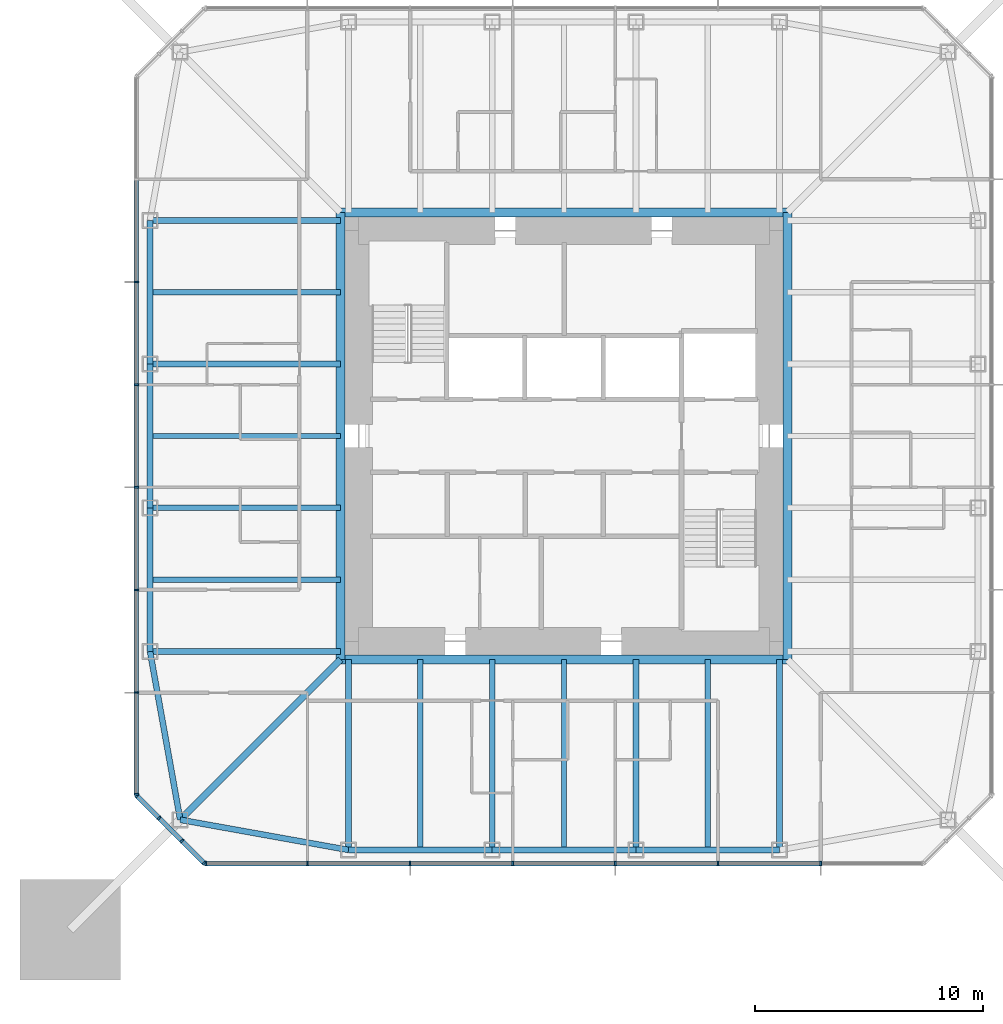
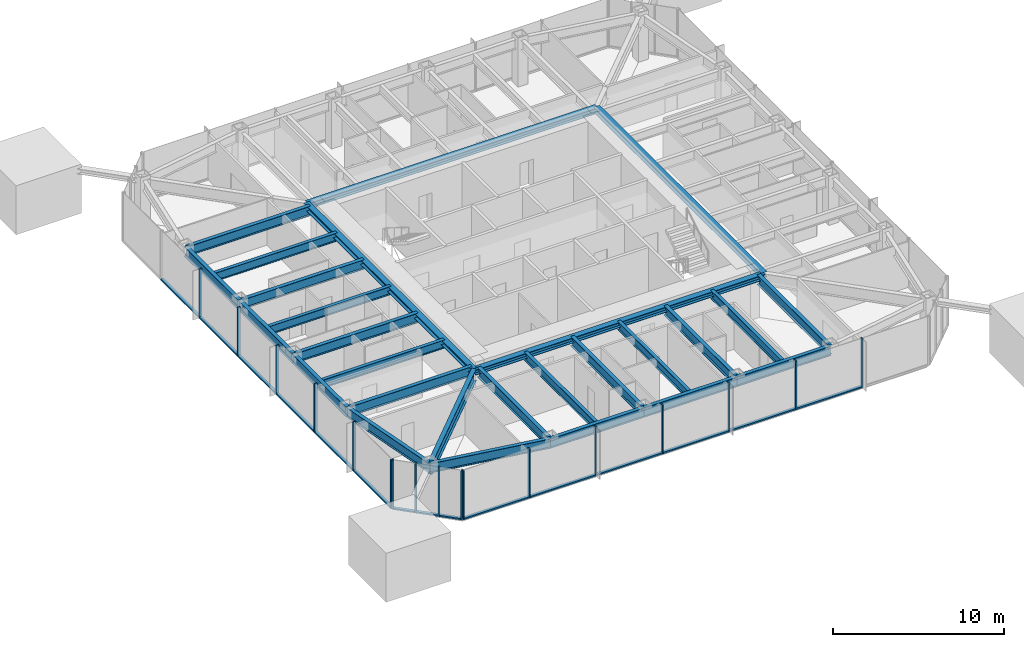
# One storey, part 2 of 11: 32 members, 27 beams, 3 elements without a shape of their own.
"""IFC4 building model written with IfcOpenShell, lengths in metres."""

from ifc_helpers import new_model, si_unit, direction, frame, origin, origin_2d, place, context, subcontext, project, spatial, rectangle, i_section, extrude, material, material_profile, profile_set, type_object, element, aggregate, save


model = new_model("IFC4")

# Units and contexts
model_context = context("Model", 3, precision=1e-05, world=origin(), true_north=direction((0.0, 1.0)))
body_context = subcontext(model_context, "Body", "Model", "MODEL_VIEW")
ifc_project = project(units=[si_unit("LENGTHUNIT", "METRE"), si_unit("AREAUNIT", "SQUARE_METRE"), si_unit("VOLUMEUNIT", "CUBIC_METRE"), si_unit("PLANEANGLEUNIT", "RADIAN"), si_unit("MASSUNIT", "GRAM", prefix="KILO")], contexts=[model_context])

# Site, building, storey
site_placement = place(None, origin())
site = spatial("IfcSite", under=ifc_project, at=site_placement, CompositionType="ELEMENT")
building_placement = place(site_placement, origin())
building = spatial("IfcBuilding", under=site, at=building_placement, Name="Iwan Alto Co-Living Towers", CompositionType="ELEMENT")
storey_placement = place(building_placement, frame((0.0, 0.0, 170.5)))
storey = spatial("IfcBuildingStorey", under=building, at=storey_placement, Name="L46", CompositionType="ELEMENT", Elevation=170.5)

# Curtain wall, members
ifc_material_1 = material(Name="Bronze aluminium unitised frame", Category="aluminium")
curtain_wall_type_1 = type_object("IfcCurtainWallType", Name="CURTAIN WALL CW-A", PredefinedType="NOTDEFINED", material=ifc_material_1)
curtain_wall_1_placement = place(storey_placement, origin())
curtain_wall_1 = element("IfcCurtainWall", 1, at=curtain_wall_1_placement, inside=storey, type_object=curtain_wall_type_1, Name="T1 curtain wall S L46", PredefinedType="NOTDEFINED")
ifc_material_2 = material(Name="Aluminium 6063-T6 bronze anodised", Category="aluminium")
ifc_material_profile_1 = material_profile(ifc_material_2, rectangle(XDim=0.199951171875, YDim=0.080078125, at=origin_2d()), Name="AL 80X200")
ifc_profile_set_1 = profile_set([ifc_material_profile_1], Name="Aluminium 6063-T6 bronze anodised")
member_type_1 = type_object("IfcMemberType", Name="CW-A MULLION 80X200", PredefinedType="MULLION", material=ifc_profile_set_1)
member_1_placement = place(storey_placement, frame((-15.7099609375, -18.75, 0.0), z_axis=(0.0, 0.0, 1.0), x_axis=(0.0, 1.0, 0.0)))
member_1 = element("IfcMember", 2, at=member_1_placement, type_object=member_type_1, Name="CW-A mullion 1", PredefinedType="MULLION", context=body_context, shape_type="SweptSolid", body=[
    extrude(rectangle(XDim=0.199951171875, YDim=0.080078125, at=origin_2d()), origin(), (0.0, 0.0, 1.0), 3.5),
])
member_2_placement = place(storey_placement, frame((-11.25, -18.75, 0.0), z_axis=(0.0, 0.0, 1.0), x_axis=(0.0, 1.0, 0.0)))
member_2 = element("IfcMember", 3, at=member_2_placement, type_object=member_type_1, Name="CW-A mullion 2", PredefinedType="MULLION", context=body_context, shape_type="SweptSolid", body=[
    extrude(rectangle(XDim=0.199951171875, YDim=0.080078125, at=origin_2d()), origin(), (0.0, 0.0, 1.0), 3.5),
])
member_3_placement = place(storey_placement, frame((-6.75, -18.75, 0.0), z_axis=(0.0, 0.0, 1.0), x_axis=(0.0, 1.0, 0.0)))
member_3 = element("IfcMember", 4, at=member_3_placement, type_object=member_type_1, Name="CW-A mullion 3", PredefinedType="MULLION", context=body_context, shape_type="SweptSolid", body=[
    extrude(rectangle(XDim=0.199951171875, YDim=0.080078125, at=origin_2d()), origin(), (0.0, 0.0, 1.0), 3.5),
])
member_4_placement = place(storey_placement, frame((-2.25, -18.75, 0.0), z_axis=(0.0, 0.0, 1.0), x_axis=(0.0, 1.0, 0.0)))
member_4 = element("IfcMember", 5, at=member_4_placement, type_object=member_type_1, Name="CW-A mullion 4", PredefinedType="MULLION", context=body_context, shape_type="SweptSolid", body=[
    extrude(rectangle(XDim=0.199951171875, YDim=0.080078125, at=origin_2d()), origin(), (0.0, 0.0, 1.0), 3.5),
])
member_5_placement = place(storey_placement, frame((2.25, -18.75, 0.0), z_axis=(0.0, 0.0, 1.0), x_axis=(0.0, 1.0, 0.0)))
member_5 = element("IfcMember", 6, at=member_5_placement, type_object=member_type_1, Name="CW-A mullion 5", PredefinedType="MULLION", context=body_context, shape_type="SweptSolid", body=[
    extrude(rectangle(XDim=0.199951171875, YDim=0.080078125, at=origin_2d()), origin(), (0.0, 0.0, 1.0), 3.5),
])
member_6_placement = place(storey_placement, frame((6.75, -18.75, 0.0), z_axis=(0.0, 0.0, 1.0), x_axis=(0.0, 1.0, 0.0)))
member_6 = element("IfcMember", 7, at=member_6_placement, type_object=member_type_1, Name="CW-A mullion 6", PredefinedType="MULLION", context=body_context, shape_type="SweptSolid", body=[
    extrude(rectangle(XDim=0.199951171875, YDim=0.080078125, at=origin_2d()), origin(), (0.0, 0.0, 1.0), 3.5),
])
member_7_placement = place(storey_placement, frame((11.25, -18.75, 0.0), z_axis=(0.0, 0.0, 1.0), x_axis=(0.0, 1.0, 0.0)))
member_7 = element("IfcMember", 8, at=member_7_placement, type_object=member_type_1, Name="CW-A mullion 7", PredefinedType="MULLION", context=body_context, shape_type="SweptSolid", body=[
    extrude(rectangle(XDim=0.199951171875, YDim=0.080078125, at=origin_2d()), origin(), (0.0, 0.0, 1.0), 3.5),
])

curtain_wall_2_placement = place(storey_placement, origin())
curtain_wall_2 = element("IfcCurtainWall", 9, at=curtain_wall_2_placement, inside=storey, type_object=curtain_wall_type_1, Name="T1 curtain wall W L46", PredefinedType="NOTDEFINED")
member_8_placement = place(storey_placement, frame((-18.75, 6.75, 0.0), z_axis=(0.0, 0.0, 1.0), x_axis=(1.0, 0.0, 0.0)))
member_8 = element("IfcMember", 10, at=member_8_placement, type_object=member_type_1, Name="CW-A mullion 3", PredefinedType="MULLION", context=body_context, shape_type="SweptSolid", body=[
    extrude(rectangle(XDim=0.199951171875, YDim=0.080078125, at=origin_2d()), origin(), (0.0, 0.0, 1.0), 3.5),
])
member_9_placement = place(storey_placement, frame((-18.75, 2.25, 0.0), z_axis=(0.0, 0.0, 1.0), x_axis=(1.0, 0.0, 0.0)))
member_9 = element("IfcMember", 11, at=member_9_placement, type_object=member_type_1, Name="CW-A mullion 4", PredefinedType="MULLION", context=body_context, shape_type="SweptSolid", body=[
    extrude(rectangle(XDim=0.199951171875, YDim=0.080078125, at=origin_2d()), origin(), (0.0, 0.0, 1.0), 3.5),
])
member_10_placement = place(storey_placement, frame((-18.75, -2.25, 0.0), z_axis=(0.0, 0.0, 1.0), x_axis=(1.0, 0.0, 0.0)))
member_10 = element("IfcMember", 12, at=member_10_placement, type_object=member_type_1, Name="CW-A mullion 5", PredefinedType="MULLION", context=body_context, shape_type="SweptSolid", body=[
    extrude(rectangle(XDim=0.199951171875, YDim=0.080078125, at=origin_2d()), origin(), (0.0, 0.0, 1.0), 3.5),
])
member_11_placement = place(storey_placement, frame((-18.75, -6.75, 0.0), z_axis=(0.0, 0.0, 1.0), x_axis=(1.0, 0.0, 0.0)))
member_11 = element("IfcMember", 13, at=member_11_placement, type_object=member_type_1, Name="CW-A mullion 6", PredefinedType="MULLION", context=body_context, shape_type="SweptSolid", body=[
    extrude(rectangle(XDim=0.199951171875, YDim=0.080078125, at=origin_2d()), origin(), (0.0, 0.0, 1.0), 3.5),
])
member_12_placement = place(storey_placement, frame((-18.75, -11.25, 0.0), z_axis=(0.0, 0.0, 1.0), x_axis=(1.0, 0.0, 0.0)))
member_12 = element("IfcMember", 14, at=member_12_placement, type_object=member_type_1, Name="CW-A mullion 7", PredefinedType="MULLION", context=body_context, shape_type="SweptSolid", body=[
    extrude(rectangle(XDim=0.199951171875, YDim=0.080078125, at=origin_2d()), origin(), (0.0, 0.0, 1.0), 3.5),
])
member_13_placement = place(storey_placement, frame((-18.75, -15.7099609375, 0.0), z_axis=(0.0, 0.0, 1.0), x_axis=(1.0, 0.0, 0.0)))
member_13 = element("IfcMember", 15, at=member_13_placement, type_object=member_type_1, Name="CW-A mullion 8", PredefinedType="MULLION", context=body_context, shape_type="SweptSolid", body=[
    extrude(rectangle(XDim=0.199951171875, YDim=0.080078125, at=origin_2d()), origin(), (0.0, 0.0, 1.0), 3.5),
])

# Member
ifc_material_3 = material(Name="Aluminium 6063-T6 bronze anodised", Category="aluminium")
ifc_material_profile_2 = material_profile(ifc_material_3, rectangle(XDim=0.199951171875, YDim=0.10009765625, at=origin_2d()), Name="AL 200X100")
ifc_profile_set_2 = profile_set([ifc_material_profile_2], Name="Aluminium 6063-T6 bronze anodised")
member_type_2 = type_object("IfcMemberType", Name="CW-A TRANSOM 200X100", PredefinedType="USERDEFINED", material=ifc_profile_set_2)
member_14_placement = place(storey_placement, frame((-15.669921875, -18.75, 0.050048828125), z_axis=(1.0, 0.0, 0.0), x_axis=(0.0, 1.0, 0.0)))
member_14 = element("IfcMember", 16, at=member_14_placement, type_object=member_type_2, Name="CW-A transom 1.1", ObjectType="TRANSOM", PredefinedType="USERDEFINED", context=body_context, shape_type="SweptSolid", body=[
    extrude(rectangle(XDim=0.199951171875, YDim=0.10009765625, at=origin_2d()), origin(), (0.0, 0.0, 1.0), 4.3798828125),
])

member_15_placement = place(storey_placement, frame((-11.2099609375, -18.75, 0.050048828125), z_axis=(1.0, 0.0, 0.0), x_axis=(0.0, 1.0, 0.0)))
member_15 = element("IfcMember", 17, at=member_15_placement, type_object=member_type_2, Name="CW-A transom 2.1", ObjectType="TRANSOM", PredefinedType="USERDEFINED", context=body_context, shape_type="SweptSolid", body=[
    extrude(rectangle(XDim=0.199951171875, YDim=0.10009765625, at=origin_2d()), origin(), (0.0, 0.0, 1.0), 4.419921875),
])

member_16_placement = place(storey_placement, frame((-6.7099609375, -18.75, 0.050048828125), z_axis=(1.0, 0.0, 0.0), x_axis=(0.0, 1.0, 0.0)))
member_16 = element("IfcMember", 18, at=member_16_placement, type_object=member_type_2, Name="CW-A transom 3.1", ObjectType="TRANSOM", PredefinedType="USERDEFINED", context=body_context, shape_type="SweptSolid", body=[
    extrude(rectangle(XDim=0.199951171875, YDim=0.10009765625, at=origin_2d()), origin(), (0.0, 0.0, 1.0), 4.419921875),
])

member_17_placement = place(storey_placement, frame((-2.2099609375, -18.75, 0.050048828125), z_axis=(1.0, 0.0, 0.0), x_axis=(0.0, 1.0, 0.0)))
member_17 = element("IfcMember", 19, at=member_17_placement, type_object=member_type_2, Name="CW-A transom 4.1", ObjectType="TRANSOM", PredefinedType="USERDEFINED", context=body_context, shape_type="SweptSolid", body=[
    extrude(rectangle(XDim=0.199951171875, YDim=0.10009765625, at=origin_2d()), origin(), (0.0, 0.0, 1.0), 4.419921875),
])

member_18_placement = place(storey_placement, frame((2.2900390625, -18.75, 0.050048828125), z_axis=(1.0, 0.0, 0.0), x_axis=(0.0, 1.0, 0.0)))
member_18 = element("IfcMember", 20, at=member_18_placement, type_object=member_type_2, Name="CW-A transom 5.1", ObjectType="TRANSOM", PredefinedType="USERDEFINED", context=body_context, shape_type="SweptSolid", body=[
    extrude(rectangle(XDim=0.199951171875, YDim=0.10009765625, at=origin_2d()), origin(), (0.0, 0.0, 1.0), 4.419921875),
])

member_19_placement = place(storey_placement, frame((6.7900390625, -18.75, 0.050048828125), z_axis=(1.0, 0.0, 0.0), x_axis=(0.0, 1.0, 0.0)))
member_19 = element("IfcMember", 21, at=member_19_placement, type_object=member_type_2, Name="CW-A transom 6.1", ObjectType="TRANSOM", PredefinedType="USERDEFINED", context=body_context, shape_type="SweptSolid", body=[
    extrude(rectangle(XDim=0.199951171875, YDim=0.10009765625, at=origin_2d()), origin(), (0.0, 0.0, 1.0), 4.419921875),
])

aggregate(curtain_wall_1, [member_1, member_2, member_3, member_4, member_5, member_6, member_7, member_14, member_15, member_16, member_17, member_18, member_19])

member_20_placement = place(storey_placement, frame((-18.75, 11.2099609375, 0.050048828125), z_axis=(0.0, -1.0, 0.0), x_axis=(1.0, 0.0, 0.0)))
member_20 = element("IfcMember", 22, at=member_20_placement, type_object=member_type_2, Name="CW-A transom 2.1", ObjectType="TRANSOM", PredefinedType="USERDEFINED", context=body_context, shape_type="SweptSolid", body=[
    extrude(rectangle(XDim=0.199951171875, YDim=0.10009765625, at=origin_2d()), origin(), (0.0, 0.0, 1.0), 4.419921875),
])

member_21_placement = place(storey_placement, frame((-18.75, 6.7099609375, 0.050048828125), z_axis=(0.0, -1.0, 0.0), x_axis=(1.0, 0.0, 0.0)))
member_21 = element("IfcMember", 23, at=member_21_placement, type_object=member_type_2, Name="CW-A transom 3.1", ObjectType="TRANSOM", PredefinedType="USERDEFINED", context=body_context, shape_type="SweptSolid", body=[
    extrude(rectangle(XDim=0.199951171875, YDim=0.10009765625, at=origin_2d()), origin(), (0.0, 0.0, 1.0), 4.419921875),
])

member_22_placement = place(storey_placement, frame((-18.75, 2.2099609375, 0.050048828125), z_axis=(0.0, -1.0, 0.0), x_axis=(1.0, 0.0, 0.0)))
member_22 = element("IfcMember", 24, at=member_22_placement, type_object=member_type_2, Name="CW-A transom 4.1", ObjectType="TRANSOM", PredefinedType="USERDEFINED", context=body_context, shape_type="SweptSolid", body=[
    extrude(rectangle(XDim=0.199951171875, YDim=0.10009765625, at=origin_2d()), origin(), (0.0, 0.0, 1.0), 4.419921875),
])

member_23_placement = place(storey_placement, frame((-18.75, -2.2900390625, 0.050048828125), z_axis=(0.0, -1.0, 0.0), x_axis=(1.0, 0.0, 0.0)))
member_23 = element("IfcMember", 25, at=member_23_placement, type_object=member_type_2, Name="CW-A transom 5.1", ObjectType="TRANSOM", PredefinedType="USERDEFINED", context=body_context, shape_type="SweptSolid", body=[
    extrude(rectangle(XDim=0.199951171875, YDim=0.10009765625, at=origin_2d()), origin(), (0.0, 0.0, 1.0), 4.419921875),
])

member_24_placement = place(storey_placement, frame((-18.75, -6.7900390625, 0.050048828125), z_axis=(0.0, -1.0, 0.0), x_axis=(1.0, 0.0, 0.0)))
member_24 = element("IfcMember", 26, at=member_24_placement, type_object=member_type_2, Name="CW-A transom 6.1", ObjectType="TRANSOM", PredefinedType="USERDEFINED", context=body_context, shape_type="SweptSolid", body=[
    extrude(rectangle(XDim=0.199951171875, YDim=0.10009765625, at=origin_2d()), origin(), (0.0, 0.0, 1.0), 4.419921875),
])

member_25_placement = place(storey_placement, frame((-18.75, -11.2900390625, 0.050048828125), z_axis=(0.0, -1.0, 0.0), x_axis=(1.0, 0.0, 0.0)))
member_25 = element("IfcMember", 27, at=member_25_placement, type_object=member_type_2, Name="CW-A transom 7.1", ObjectType="TRANSOM", PredefinedType="USERDEFINED", context=body_context, shape_type="SweptSolid", body=[
    extrude(rectangle(XDim=0.199951171875, YDim=0.10009765625, at=origin_2d()), origin(), (0.0, 0.0, 1.0), 4.3798828125),
])

aggregate(curtain_wall_2, [member_8, member_9, member_10, member_11, member_12, member_13, member_20, member_21, member_22, member_23, member_24, member_25])

# Curtain wall, members
ifc_material_4 = material(Name="Bronze aluminium unitised frame", Category="aluminium")
curtain_wall_type_2 = type_object("IfcCurtainWallType", Name="CURTAIN WALL CW-B", PredefinedType="NOTDEFINED", material=ifc_material_4)
curtain_wall_3_placement = place(storey_placement, origin())
curtain_wall_3 = element("IfcCurtainWall", 28, at=curtain_wall_3_placement, inside=storey, type_object=curtain_wall_type_2, Name="T1 chamfer curtain wall SW L46", PredefinedType="NOTDEFINED")
ifc_material_5 = material(Name="Aluminium 6063-T6 bronze anodised", Category="aluminium")
ifc_material_profile_3 = material_profile(ifc_material_5, rectangle(XDim=0.199951171875, YDim=0.080078125, at=origin_2d()), Name="AL 80X200")
ifc_profile_set_3 = profile_set([ifc_material_profile_3], Name="Aluminium 6063-T6 bronze anodised")
member_type_3 = type_object("IfcMemberType", Name="CW-B MULLION 80X200", PredefinedType="MULLION", material=ifc_profile_set_3)
member_26_placement = place(storey_placement, frame((-18.7216796875, -15.7783203125, 0.0), z_axis=(0.0, 0.0, 1.0), x_axis=(0.707106781187, 0.707106781187, 0.0)))
member_26 = element("IfcMember", 29, at=member_26_placement, type_object=member_type_3, Name="CW-B mullion 1", PredefinedType="MULLION", context=body_context, shape_type="SweptSolid", body=[
    extrude(rectangle(XDim=0.199951171875, YDim=0.080078125, at=origin_2d()), origin(), (0.0, 0.0, 1.0), 3.5),
])
member_27_placement = place(storey_placement, frame((-17.75, -16.75, 0.0), z_axis=(0.0, 0.0, 1.0), x_axis=(0.707106781187, 0.707106781187, 0.0)))
member_27 = element("IfcMember", 30, at=member_27_placement, type_object=member_type_3, Name="CW-B mullion 2", PredefinedType="MULLION", context=body_context, shape_type="SweptSolid", body=[
    extrude(rectangle(XDim=0.199951171875, YDim=0.080078125, at=origin_2d()), origin(), (0.0, 0.0, 1.0), 3.5),
])
member_28_placement = place(storey_placement, frame((-16.75, -17.75, 0.0), z_axis=(0.0, 0.0, 1.0), x_axis=(0.707106781187, 0.707106781187, 0.0)))
member_28 = element("IfcMember", 31, at=member_28_placement, type_object=member_type_3, Name="CW-B mullion 3", PredefinedType="MULLION", context=body_context, shape_type="SweptSolid", body=[
    extrude(rectangle(XDim=0.199951171875, YDim=0.080078125, at=origin_2d()), origin(), (0.0, 0.0, 1.0), 3.5),
])
member_29_placement = place(storey_placement, frame((-15.7783203125, -18.7216796875, 0.0), z_axis=(0.0, 0.0, 1.0), x_axis=(0.707106781187, 0.707106781187, 0.0)))
member_29 = element("IfcMember", 32, at=member_29_placement, type_object=member_type_3, Name="CW-B mullion 4", PredefinedType="MULLION", context=body_context, shape_type="SweptSolid", body=[
    extrude(rectangle(XDim=0.199951171875, YDim=0.080078125, at=origin_2d()), origin(), (0.0, 0.0, 1.0), 3.5),
])
ifc_material_6 = material(Name="Aluminium 6063-T6 bronze anodised", Category="aluminium")
ifc_material_profile_4 = material_profile(ifc_material_6, rectangle(XDim=0.199951171875, YDim=0.10009765625, at=origin_2d()), Name="AL 200X100")
ifc_profile_set_4 = profile_set([ifc_material_profile_4], Name="Aluminium 6063-T6 bronze anodised")
member_type_4 = type_object("IfcMemberType", Name="CW-B TRANSOM 200X100", PredefinedType="USERDEFINED", material=ifc_profile_set_4)
member_30_placement = place(storey_placement, frame((-18.693359375, -15.806640625, 0.050048828125), z_axis=(0.707106781187, -0.707106781187, 0.0), x_axis=(0.707106781187, 0.707106781187, 0.0)))
member_30 = element("IfcMember", 33, at=member_30_placement, type_object=member_type_4, Name="CW-B transom 1.1", ObjectType="TRANSOM", PredefinedType="USERDEFINED", context=body_context, shape_type="SweptSolid", body=[
    extrude(rectangle(XDim=0.199951171875, YDim=0.10009765625, at=origin_2d()), origin(), (0.0, 0.0, 1.0), 1.2939453125),
])
member_31_placement = place(storey_placement, frame((-17.7216796875, -16.7783203125, 0.050048828125), z_axis=(0.707106781187, -0.707106781187, 0.0), x_axis=(0.707106781187, 0.707106781187, 0.0)))
member_31 = element("IfcMember", 34, at=member_31_placement, type_object=member_type_4, Name="CW-B transom 2.1", ObjectType="TRANSOM", PredefinedType="USERDEFINED", context=body_context, shape_type="SweptSolid", body=[
    extrude(rectangle(XDim=0.199951171875, YDim=0.10009765625, at=origin_2d()), origin(), (0.0, 0.0, 1.0), 1.334228515625),
])
member_32_placement = place(storey_placement, frame((-16.7216796875, -17.7783203125, 0.050048828125), z_axis=(0.707106781187, -0.707106781187, 0.0), x_axis=(0.707106781187, 0.707106781187, 0.0)))
member_32 = element("IfcMember", 35, at=member_32_placement, type_object=member_type_4, Name="CW-B transom 3.1", ObjectType="TRANSOM", PredefinedType="USERDEFINED", context=body_context, shape_type="SweptSolid", body=[
    extrude(rectangle(XDim=0.199951171875, YDim=0.10009765625, at=origin_2d()), origin(), (0.0, 0.0, 1.0), 1.2939453125),
])
aggregate(curtain_wall_3, [member_26, member_27, member_28, member_29, member_30, member_31, member_32])

# Beams
ifc_material_7 = material(Name="Steel ASTM A992 Gr 50", Category="steel")
ifc_material_profile_5 = material_profile(ifc_material_7, i_section(OverallWidth=0.398681640625, OverallDepth=0.385986328125, WebThickness=0.02099609375, FlangeThickness=0.033203125, at=origin_2d()), Name="W14X176")
ifc_profile_set_5 = profile_set([ifc_material_profile_5], Name="Steel ASTM A992 Gr 50")
beam_type_1 = type_object("IfcBeamType", Name="T1 CORE LEDGER BEAM W14X176", PredefinedType="BEAM", material=ifc_profile_set_5)
for number, where, z_axis, x_axis, name in (
    (36, (-9.79931640625, -9.79931640625, 3.076904296875), (1.0, 0.0, 0.0), (0.0, 1.0, 0.0), "T1 core ledger beam S L47"),
    (37, (9.79931640625, -9.79931640625, 3.076904296875), (0.0, 1.0, 0.0), (-1.0, 0.0, 0.0), "T1 core ledger beam E L47"),
    (38, (9.79931640625, 9.79931640625, 3.076904296875), (-1.0, 0.0, 0.0), (0.0, -1.0, 0.0), "T1 core ledger beam N L47"),
    (39, (-9.79931640625, 9.79931640625, 3.076904296875), (0.0, -1.0, 0.0), (1.0, 0.0, 0.0), "T1 core ledger beam W L47"),
):
    element("IfcBeam", number, at=place(storey_placement, frame(where, z_axis=z_axis, x_axis=x_axis)), inside=storey, type_object=beam_type_1, Name=name, PredefinedType="BEAM", context=body_context, shape_type="SweptSolid", body=[
        extrude(i_section(OverallWidth=0.398681640625, OverallDepth=0.385986328125, WebThickness=0.02099609375, FlangeThickness=0.033203125, at=origin_2d()), origin(), (0.0, 0.0, 1.0), 19.5986328125),
    ])
ifc_material_8 = material(Name="Steel ASTM A992 Gr 50", Category="steel")
ifc_material_profile_6 = material_profile(ifc_material_8, i_section(OverallWidth=0.2919921875, OverallDepth=0.8408203125, WebThickness=0.0146484375, FlangeThickness=0.021728515625, at=origin_2d()), Name="W33X130")
ifc_profile_set_6 = profile_set([ifc_material_profile_6], Name="Steel ASTM A992 Gr 50")
beam_type_2 = type_object("IfcBeamType", Name="T1 CORNER GIRDER W33X130", PredefinedType="BEAM", material=ifc_profile_set_6)
beam_1_placement = place(storey_placement, frame((-16.82568359375, -16.82568359375, 2.849609375), z_axis=(0.707106781187, 0.707106781187, 0.0), x_axis=(-0.707106781187, 0.707106781187, 0.0)))
element("IfcBeam", 40, at=beam_1_placement, inside=storey, type_object=beam_type_2, Name="T1 corner girder CSW L47", PredefinedType="BEAM", context=body_context, shape_type="SweptSolid", body=[
    extrude(i_section(OverallWidth=0.2919921875, OverallDepth=0.8408203125, WebThickness=0.0146484375, FlangeThickness=0.021728515625, at=origin_2d()), origin(), (0.0, 0.0, 1.0), 9.936767578125),
])
ifc_material_9 = material(Name="Steel ASTM A992 Gr 50", Category="steel")
ifc_material_profile_7 = material_profile(ifc_material_9, i_section(OverallWidth=0.25390625, OverallDepth=0.683349609375, WebThickness=0.012451171875, FlangeThickness=0.018798828125, at=origin_2d()), Name="W27X94")
ifc_profile_set_7 = profile_set([ifc_material_profile_7], Name="Steel ASTM A992 Gr 50")
beam_type_3 = type_object("IfcBeamType", Name="T1 EDGE BEAM W27X94", PredefinedType="BEAM", material=ifc_profile_set_7)
beam_2_placement = place(storey_placement, frame((-16.82568359375, -16.82568359375, 2.928466796875), z_axis=(0.98426263553, -0.17671181143, 0.0), x_axis=(0.17671181143, 0.98426263553, 0.0)))
element("IfcBeam", 41, at=beam_2_placement, inside=storey, type_object=beam_type_3, Name="T1 edge beam CSW L47", PredefinedType="BEAM", context=body_context, shape_type="SweptSolid", body=[
    extrude(i_section(OverallWidth=0.25390625, OverallDepth=0.683349609375, WebThickness=0.012451171875, FlangeThickness=0.018798828125, at=origin_2d()), origin(), (0.0, 0.0, 1.0), 7.49365234375),
])
beam_3_placement = place(storey_placement, frame((-9.449951171875, -18.14990234375, 2.928466796875), z_axis=(1.0, 0.0, 0.0), x_axis=(0.0, 1.0, 0.0)))
element("IfcBeam", 42, at=beam_3_placement, inside=storey, type_object=beam_type_3, Name="T1 edge beam S1 L47", PredefinedType="BEAM", context=body_context, shape_type="SweptSolid", body=[
    extrude(i_section(OverallWidth=0.25390625, OverallDepth=0.683349609375, WebThickness=0.012451171875, FlangeThickness=0.018798828125, at=origin_2d()), origin(), (0.0, 0.0, 1.0), 6.300048828125),
])
beam_4_placement = place(storey_placement, frame((-3.14990234375, -18.14990234375, 2.928466796875), z_axis=(1.0, 0.0, 0.0), x_axis=(0.0, 1.0, 0.0)))
element("IfcBeam", 43, at=beam_4_placement, inside=storey, type_object=beam_type_3, Name="T1 edge beam S2 L47", PredefinedType="BEAM", context=body_context, shape_type="SweptSolid", body=[
    extrude(i_section(OverallWidth=0.25390625, OverallDepth=0.683349609375, WebThickness=0.012451171875, FlangeThickness=0.018798828125, at=origin_2d()), origin(), (0.0, 0.0, 1.0), 6.2998046875),
])
for number, where, z_axis, x_axis, name in (
    (44, (3.14990234375, -18.14990234375, 2.928466796875), (1.0, 0.0, 0.0), (0.0, 1.0, 0.0), "T1 edge beam S3 L47"),
    (45, (-18.14990234375, 9.449951171875, 2.928466796875), (0.0, -1.0, 0.0), (1.0, 0.0, 0.0), "T1 edge beam W1 L47"),
):
    element("IfcBeam", number, at=place(storey_placement, frame(where, z_axis=z_axis, x_axis=x_axis)), inside=storey, type_object=beam_type_3, Name=name, PredefinedType="BEAM", context=body_context, shape_type="SweptSolid", body=[
        extrude(i_section(OverallWidth=0.25390625, OverallDepth=0.683349609375, WebThickness=0.012451171875, FlangeThickness=0.018798828125, at=origin_2d()), origin(), (0.0, 0.0, 1.0), 6.300048828125),
    ])
beam_5_placement = place(storey_placement, frame((-18.14990234375, 3.14990234375, 2.928466796875), z_axis=(0.0, -1.0, 0.0), x_axis=(1.0, 0.0, 0.0)))
element("IfcBeam", 46, at=beam_5_placement, inside=storey, type_object=beam_type_3, Name="T1 edge beam W2 L47", PredefinedType="BEAM", context=body_context, shape_type="SweptSolid", body=[
    extrude(i_section(OverallWidth=0.25390625, OverallDepth=0.683349609375, WebThickness=0.012451171875, FlangeThickness=0.018798828125, at=origin_2d()), origin(), (0.0, 0.0, 1.0), 6.2998046875),
])
beam_6_placement = place(storey_placement, frame((-18.14990234375, -3.14990234375, 2.928466796875), z_axis=(0.0, -1.0, 0.0), x_axis=(1.0, 0.0, 0.0)))
element("IfcBeam", 47, at=beam_6_placement, inside=storey, type_object=beam_type_3, Name="T1 edge beam W3 L47", PredefinedType="BEAM", context=body_context, shape_type="SweptSolid", body=[
    extrude(i_section(OverallWidth=0.25390625, OverallDepth=0.683349609375, WebThickness=0.012451171875, FlangeThickness=0.018798828125, at=origin_2d()), origin(), (0.0, 0.0, 1.0), 6.300048828125),
])
beam_7_placement = place(storey_placement, frame((-18.14990234375, -9.449951171875, 2.928466796875), z_axis=(0.17671181143, -0.98426263553, 0.0), x_axis=(0.98426263553, 0.17671181143, 0.0)))
element("IfcBeam", 48, at=beam_7_placement, inside=storey, type_object=beam_type_3, Name="T1 edge beam W4 L47", PredefinedType="BEAM", context=body_context, shape_type="SweptSolid", body=[
    extrude(i_section(OverallWidth=0.25390625, OverallDepth=0.683349609375, WebThickness=0.012451171875, FlangeThickness=0.018798828125, at=origin_2d()), origin(), (0.0, 0.0, 1.0), 7.49365234375),
])
ifc_material_10 = material(Name="Steel ASTM A992 Gr 50", Category="steel")
ifc_material_profile_8 = material_profile(ifc_material_10, i_section(OverallWidth=0.25390625, OverallDepth=0.683349609375, WebThickness=0.012451171875, FlangeThickness=0.018798828125, at=origin_2d()), Name="W27X94")
ifc_profile_set_8 = profile_set([ifc_material_profile_8], Name="Steel ASTM A992 Gr 50")
beam_type_4 = type_object("IfcBeamType", Name="T1 RADIAL BEAM W27X94", PredefinedType="BEAM", material=ifc_profile_set_8)
for number, where, z_axis, x_axis, name in (
    (49, (-9.449951171875, -18.14990234375, 2.928466796875), (0.0, 1.0, 0.0), (-1.0, 0.0, 0.0), "T1 radial beam S1 L47"),
    (50, (-3.14990234375, -18.14990234375, 2.928466796875), (0.0, 1.0, 0.0), (-1.0, 0.0, 0.0), "T1 radial beam S2 L47"),
    (51, (3.14990234375, -18.14990234375, 2.928466796875), (0.0, 1.0, 0.0), (-1.0, 0.0, 0.0), "T1 radial beam S3 L47"),
    (52, (9.449951171875, -18.14990234375, 2.928466796875), (0.0, 1.0, 0.0), (-1.0, 0.0, 0.0), "T1 radial beam S4 L47"),
    (53, (-18.14990234375, 9.449951171875, 2.928466796875), (1.0, 0.0, 0.0), (0.0, 1.0, 0.0), "T1 radial beam W1 L47"),
    (54, (-18.14990234375, 3.14990234375, 2.928466796875), (1.0, 0.0, 0.0), (0.0, 1.0, 0.0), "T1 radial beam W2 L47"),
    (55, (-18.14990234375, -3.14990234375, 2.928466796875), (1.0, 0.0, 0.0), (0.0, 1.0, 0.0), "T1 radial beam W3 L47"),
    (56, (-18.14990234375, -9.449951171875, 2.928466796875), (1.0, 0.0, 0.0), (0.0, 1.0, 0.0), "T1 radial beam W4 L47"),
):
    element("IfcBeam", number, at=place(storey_placement, frame(where, z_axis=z_axis, x_axis=x_axis)), inside=storey, type_object=beam_type_4, Name=name, PredefinedType="BEAM", context=body_context, shape_type="SweptSolid", body=[
        extrude(i_section(OverallWidth=0.25390625, OverallDepth=0.683349609375, WebThickness=0.012451171875, FlangeThickness=0.018798828125, at=origin_2d()), origin(), (0.0, 0.0, 1.0), 8.3505859375),
    ])
ifc_material_11 = material(Name="Steel ASTM A992 Gr 50", Category="steel")
ifc_material_profile_9 = material_profile(ifc_material_11, i_section(OverallWidth=0.228271484375, OverallDepth=0.607177734375, WebThickness=0.01123046875, FlangeThickness=0.017333984375, at=origin_2d()), Name="W24X76")
ifc_profile_set_9 = profile_set([ifc_material_profile_9], Name="Steel ASTM A992 Gr 50")
beam_type_5 = type_object("IfcBeamType", Name="T1 SECONDARY BEAM W24X76", PredefinedType="JOIST", material=ifc_profile_set_9)
for number, where, z_axis, x_axis, name in (
    (57, (-6.300048828125, -18.14990234375, 2.966552734375), (0.0, 1.0, 0.0), (-1.0, 0.0, 0.0), "T1 secondary beam S1 L47"),
    (58, (0.0, -18.14990234375, 2.966552734375), (0.0, 1.0, 0.0), (-1.0, 0.0, 0.0), "T1 secondary beam S2 L47"),
    (59, (6.300048828125, -18.14990234375, 2.966552734375), (0.0, 1.0, 0.0), (-1.0, 0.0, 0.0), "T1 secondary beam S3 L47"),
    (60, (-18.14990234375, 6.300048828125, 2.966552734375), (1.0, 0.0, 0.0), (0.0, 1.0, 0.0), "T1 secondary beam W1 L47"),
    (61, (-18.14990234375, 0.0, 2.966552734375), (1.0, 0.0, 0.0), (0.0, 1.0, 0.0), "T1 secondary beam W2 L47"),
    (62, (-18.14990234375, -6.300048828125, 2.966552734375), (1.0, 0.0, 0.0), (0.0, 1.0, 0.0), "T1 secondary beam W3 L47"),
):
    element("IfcBeam", number, at=place(storey_placement, frame(where, z_axis=z_axis, x_axis=x_axis)), inside=storey, type_object=beam_type_5, Name=name, PredefinedType="JOIST", context=body_context, shape_type="SweptSolid", body=[
        extrude(i_section(OverallWidth=0.228271484375, OverallDepth=0.607177734375, WebThickness=0.01123046875, FlangeThickness=0.017333984375, at=origin_2d()), origin(), (0.0, 0.0, 1.0), 8.3505859375),
    ])

save(model, "model.ifc")
